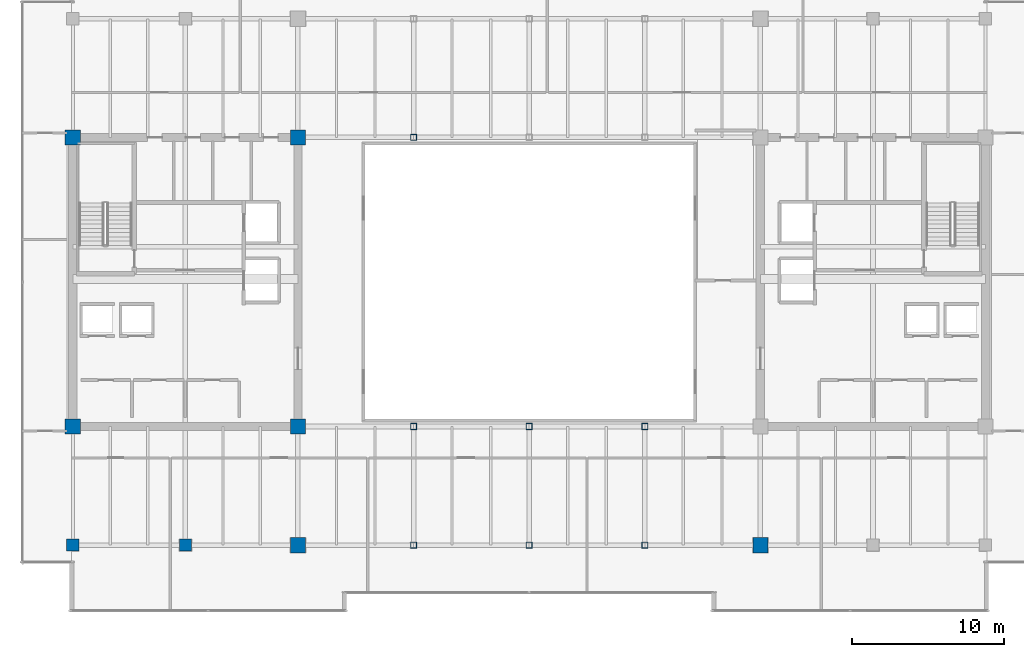
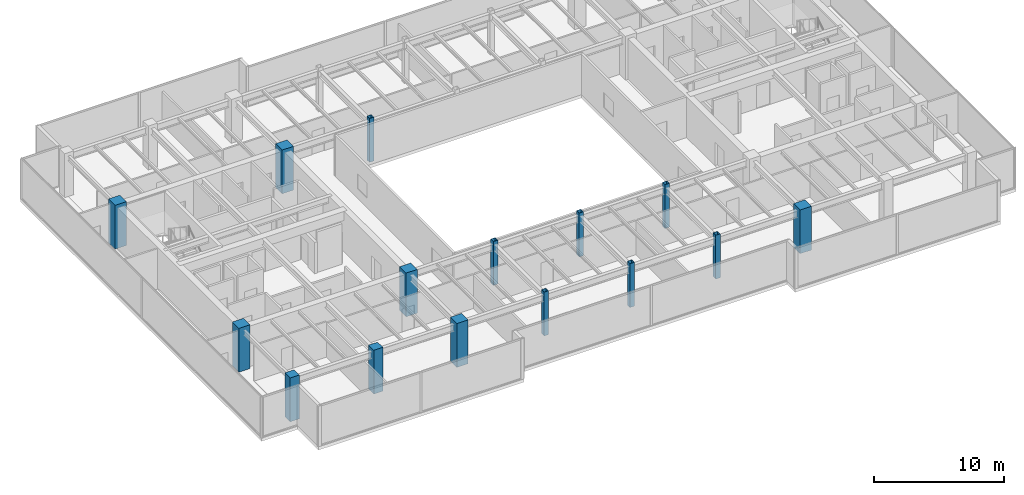
# One storey, part 1 of 35: 15 columns.
"""IFC4 building model written with IfcOpenShell, lengths in metres."""

from ifc_helpers import new_model, si_unit, direction, frame, origin, origin_2d, place, context, subcontext, project, spatial, rectangle, hollow_rectangle, extrude, source, transform, mapped, material, material_profile, profile_set, type_object, type_shapes, element, save


model = new_model("IFC4")

# Units and contexts
model_context = context("Model", 3, precision=1e-05, world=origin(), true_north=direction((0.0, 1.0)))
body_context = subcontext(model_context, "Body", "Model", "MODEL_VIEW")
ifc_project = project(units=[si_unit("LENGTHUNIT", "METRE"), si_unit("AREAUNIT", "SQUARE_METRE"), si_unit("VOLUMEUNIT", "CUBIC_METRE"), si_unit("PLANEANGLEUNIT", "RADIAN"), si_unit("MASSUNIT", "GRAM", prefix="KILO")], contexts=[model_context])

# Site, building, storey
site_placement = place(None, origin())
site = spatial("IfcSite", under=ifc_project, at=site_placement, CompositionType="ELEMENT")
building_placement = place(site_placement, origin())
building = spatial("IfcBuilding", under=site, at=building_placement, Name="Haelvirn Gate Laboratories", CompositionType="ELEMENT")
storey_placement = place(building_placement, frame((0.0, 0.0, 226.0)))
storey = spatial("IfcBuildingStorey", under=building, at=storey_placement, Name="L54", CompositionType="ELEMENT", Elevation=226.0)

# Columns
ifc_material_1 = material(Name="Concrete C60/75", Category="concrete")
ifc_material_profile_1 = material_profile(ifc_material_1, rectangle(XDim=1.0, YDim=1.0, at=origin_2d()), Name="RC-1000x1000")
ifc_profile_set_1 = profile_set([ifc_material_profile_1], Name="Concrete C60/75")
column_type_1 = type_object("IfcColumnType", Name="COL-RC-1000", PredefinedType="COLUMN", material=ifc_profile_set_1)
shared_shape_1 = source(origin(), body_context, "Body", "SweptSolid", [
    extrude(rectangle(XDim=1.0, YDim=1.0, at=origin_2d()), origin(), (0.0, 0.0, 1.0), 4.10009765625),
])
type_shapes(column_type_1, [shared_shape_1])
for number, where, z_axis, x_axis, name in (
    (1, (22.199951171875, 7.0, 0.0), (0.0, 0.0, 1.0), (1.0, 0.0, 0.0), "L54 Column 4B"),
    (2, (7.39990234375, 14.800048828125, 0.0), (0.0, 0.0, 1.0), (1.0, 0.0, 0.0), "L54 Column 2C"),
    (3, (22.199951171875, 14.800048828125, 0.0), (0.0, 0.0, 1.0), (1.0, 0.0, 0.0), "L54 Column 4C"),
    (4, (7.39990234375, 33.800048828125, 0.0), (0.0, 0.0, 1.0), (1.0, 0.0, 0.0), "L54 Column 2F"),
    (5, (22.199951171875, 33.800048828125, 0.0), (0.0, 0.0, 1.0), (1.0, 0.0, 0.0), "L54 Column 4F"),
    (6, (52.60009765625, 7.0, 0.0), (0.0, 0.0, 1.0), (1.0, 0.0, 0.0), "L54 Column 8B"),
):
    element("IfcColumn", number, at=place(storey_placement, frame(where, z_axis=z_axis, x_axis=x_axis)), inside=storey, type_object=column_type_1, Name=name, PredefinedType="COLUMN", context=body_context, shape_type="MappedRepresentation", body=[
        mapped(shared_shape_1, transform((0.0, 0.0, 0.0), scale=1.0)),
    ])
ifc_material_2 = material(Name="Concrete C50/60", Category="concrete")
ifc_material_profile_2 = material_profile(ifc_material_2, rectangle(XDim=0.800048828125, YDim=0.800048828125, at=origin_2d()), Name="RC-800x800")
ifc_profile_set_2 = profile_set([ifc_material_profile_2], Name="Concrete C50/60")
column_type_2 = type_object("IfcColumnType", Name="COL-RC-800", PredefinedType="COLUMN", material=ifc_profile_set_2)
shared_shape_2 = source(origin(), body_context, "Body", "SweptSolid", [
    extrude(rectangle(XDim=0.800048828125, YDim=0.800048828125, at=origin_2d()), origin(), (0.0, 0.0, 1.0), 4.10009765625),
])
type_shapes(column_type_2, [shared_shape_2])
for number, where, z_axis, x_axis, name in (
    (7, (14.800048828125, 7.0, 0.0), (0.0, 0.0, 1.0), (1.0, 0.0, 0.0), "L54 Column 3B"),
    (8, (7.39990234375, 7.0, 0.0), (0.0, 0.0, 1.0), (1.0, 0.0, 0.0), "L54 Column 2B"),
):
    element("IfcColumn", number, at=place(storey_placement, frame(where, z_axis=z_axis, x_axis=x_axis)), inside=storey, type_object=column_type_2, Name=name, PredefinedType="COLUMN", context=body_context, shape_type="MappedRepresentation", body=[
        mapped(shared_shape_2, transform((0.0, 0.0, 0.0), scale=1.0)),
    ])
ifc_material_3 = material(Name="Steel SM355", Category="steel")
ifc_material_profile_3 = material_profile(ifc_material_3, hollow_rectangle(XDim=0.39990234375, YDim=0.39990234375, WallThickness=0.01904296875, at=origin_2d()), Name="BOX-400x400x19")
ifc_profile_set_3 = profile_set([ifc_material_profile_3], Name="Steel SM355")
column_type_3 = type_object("IfcColumnType", Name="COL-BOX-400", PredefinedType="COLUMN", material=ifc_profile_set_3)
shared_shape_3 = source(origin(), body_context, "Body", "SweptSolid", [
    extrude(hollow_rectangle(XDim=0.39990234375, YDim=0.39990234375, WallThickness=0.01904296875, at=origin_2d()), origin(), (0.0, 0.0, 1.0), 4.10009765625),
])
type_shapes(column_type_3, [shared_shape_3])
for number, where, z_axis, x_axis, name in (
    (9, (29.800048828125, 7.0, 0.0), (0.0, 0.0, 1.0), (1.0, 0.0, 0.0), "L54 Column 5B"),
    (10, (29.800048828125, 14.800048828125, 0.0), (0.0, 0.0, 1.0), (1.0, 0.0, 0.0), "L54 Column 5C"),
    (11, (29.800048828125, 33.800048828125, 0.0), (0.0, 0.0, 1.0), (1.0, 0.0, 0.0), "L54 Column 5F"),
    (12, (37.39990234375, 7.0, 0.0), (0.0, 0.0, 1.0), (1.0, 0.0, 0.0), "L54 Column 6B"),
    (13, (37.39990234375, 14.800048828125, 0.0), (0.0, 0.0, 1.0), (1.0, 0.0, 0.0), "L54 Column 6C"),
    (14, (45.0, 7.0, 0.0), (0.0, 0.0, 1.0), (1.0, 0.0, 0.0), "L54 Column 7B"),
    (15, (45.0, 14.800048828125, 0.0), (0.0, 0.0, 1.0), (1.0, 0.0, 0.0), "L54 Column 7C"),
):
    element("IfcColumn", number, at=place(storey_placement, frame(where, z_axis=z_axis, x_axis=x_axis)), inside=storey, type_object=column_type_3, Name=name, PredefinedType="COLUMN", context=body_context, shape_type="MappedRepresentation", body=[
        mapped(shared_shape_3, transform((0.0, 0.0, 0.0), scale=1.0)),
    ])

save(model, "model.ifc")
